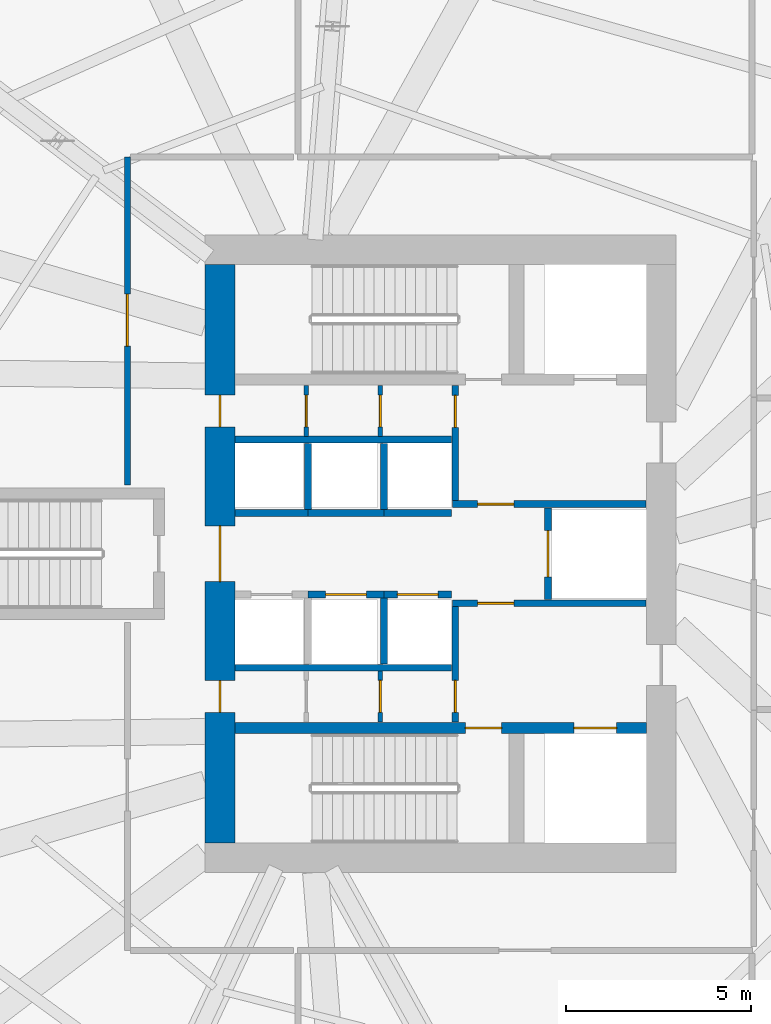
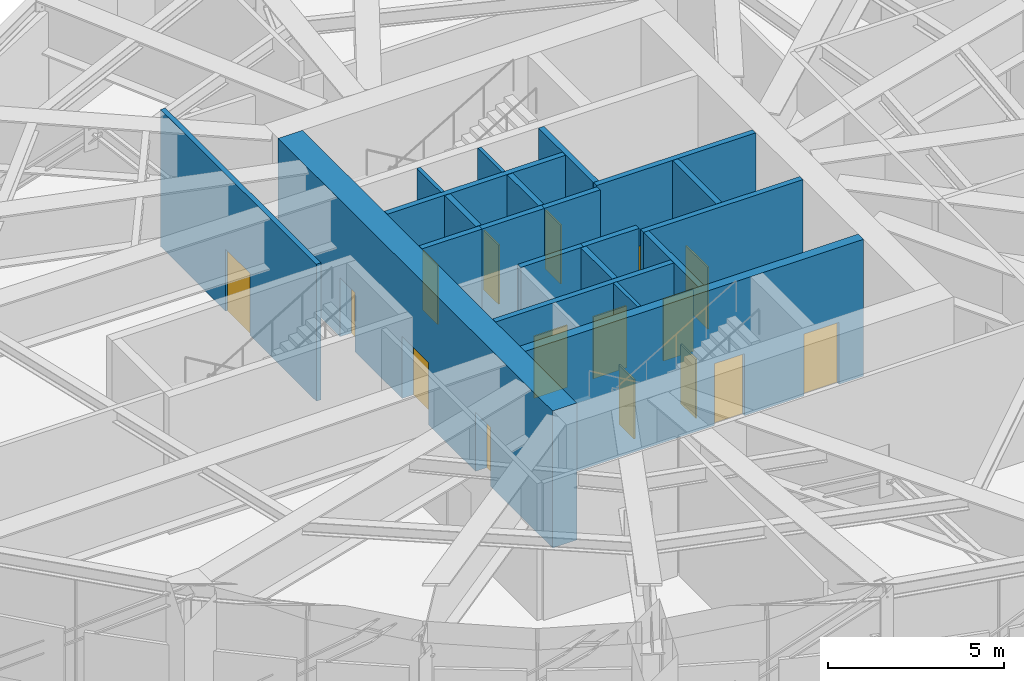
# One storey, part 4 of 9: 21 walls, 16 doors, 16 openings.
"""IFC4 building model written with IfcOpenShell, lengths in metres."""

from ifc_helpers import new_model, si_unit, direction, frame, frame_2d, origin, place, context, subcontext, project, spatial, rectangle, extrude, source, transform, mapped, material, layer, layer_set, type_object, element, fill, save


model = new_model("IFC4")

# Units and contexts
model_context = context("Model", 3, precision=1e-05, world=origin(), true_north=direction((0.0, 1.0)))
body_context = subcontext(model_context, "Body", "Model", "MODEL_VIEW")
ifc_project = project(units=[si_unit("LENGTHUNIT", "METRE"), si_unit("AREAUNIT", "SQUARE_METRE"), si_unit("VOLUMEUNIT", "CUBIC_METRE"), si_unit("PLANEANGLEUNIT", "RADIAN"), si_unit("MASSUNIT", "GRAM", prefix="KILO")], contexts=[model_context])

# Site, building, storey
site_placement = place(None, origin())
site = spatial("IfcSite", under=ifc_project, at=site_placement, CompositionType="ELEMENT")
building_placement = place(site_placement, origin())
building = spatial("IfcBuilding", under=site, at=building_placement, Name="Qafzar Sky-Pleat Residences", CompositionType="ELEMENT")
storey_placement = place(building_placement, frame((0.0, 0.0, 65.39990234375)))
storey = spatial("IfcBuildingStorey", under=building, at=storey_placement, Name="L19", CompositionType="ELEMENT", Elevation=65.39990234375)

# Wall, opening, door
ifc_material_1 = material(Name="Acoustic gypsum plasterboard partition", Category="gypsum")
ifc_layer_1 = layer(ifc_material_1, 0.159912109375)
ifc_layer_set_1 = layer_set([ifc_layer_1], Name="Acoustic gypsum plasterboard partition")
wall_type_1 = type_object("IfcWallType", Name="PART-COR-160", PredefinedType="PARTITIONING", material=ifc_layer_set_1)
wall_1_placement = place(storey_placement, frame((21.89990234375, 27.85009765625, 0.0), z_axis=(0.0, 0.0, 1.0), x_axis=(0.0, 1.0, 0.0)))
wall_1 = element("IfcWall", 1, at=wall_1_placement, inside=storey, type_object=wall_type_1, Name="L19 Partition Wall PART-L19-PW-003", PredefinedType="PARTITIONING", context=body_context, shape_type="SweptSolid", body=[
    extrude(rectangle(XDim=8.849853515625, YDim=0.159912109375, at=frame_2d((4.4248046875, 0.0))), origin(), (0.0, 0.0, 1.0), 4.75),
])
opening_1_placement = place(wall_1_placement, frame((3.75439453125, 0.0, 0.0)))
opening_1 = element("IfcOpeningElement", 2, at=opening_1_placement, cuts=wall_1, Name="Opening ID-10", PredefinedType="OPENING", context=body_context, shape_type="SweptSolid", body=[
    extrude(rectangle(XDim=1.39990234375, YDim=2.14990234375, at=frame_2d((0.699951171875, 1.074951171875))), frame((0.0, 0.08984375, 0.0), z_axis=(0.0, -1.0, 0.0), x_axis=(1.0, 0.0, 0.0)), (0.0, 0.0, 1.0), 0.179931640625),
])
ifc_material_2 = material(Name="Timber-faced fire door", Category="wood")
door_type_1 = type_object("IfcDoorType", Name="DR-PLANT-1400", OperationType="DOUBLE_DOOR_SINGLE_SWING", PredefinedType="DOOR", material=ifc_material_2)
shared_shape_1 = source(origin(), body_context, "Body", "SweptSolid", [
    extrude(rectangle(XDim=1.39990234375, YDim=2.14990234375, at=frame_2d((0.699951171875, 1.074951171875))), frame((0.0, 0.02490234375, 0.0), z_axis=(0.0, -1.0, 0.0), x_axis=(1.0, 0.0, 0.0)), (0.0, 0.0, 1.0), 0.050048828125),
])
door_1_placement = place(opening_1_placement, origin())
door_1 = element("IfcDoor", 3, at=door_1_placement, inside=storey, type_object=door_type_1, Name="L19 Chiller and Heat Exchanger Plant Room Door", OperationType="DOUBLE_DOOR_SINGLE_SWING", OverallHeight=2.14990234375, OverallWidth=1.39990234375, PredefinedType="DOOR", context=body_context, shape_type="MappedRepresentation", body=[
    mapped(shared_shape_1, transform((0.0, 0.0, 0.0), x_axis=(1.0, 0.0, 0.0), y_axis=(0.0, 1.0, 0.0), z_axis=(0.0, 0.0, 1.0), scale=1.0)),
])
fill(opening_1, door_1)

ifc_material_3 = material(Name="Concrete blockwork partition", Category="masonry")
ifc_layer_2 = layer(ifc_material_3, 0.179931640625)
ifc_layer_set_2 = layer_set([ifc_layer_2], Name="Concrete blockwork partition")
wall_type_2 = type_object("IfcWallType", Name="PART-SHAFT-180", PredefinedType="PARTITIONING", material=ifc_layer_set_2)
wall_2_placement = place(storey_placement, frame((30.75, 21.4599609375, 0.0), z_axis=(0.0, 0.0, 1.0), x_axis=(0.0, 1.0, 0.0)))
wall_2 = element("IfcWall", 4, at=wall_2_placement, inside=storey, type_object=wall_type_2, Name="L19 Partition Wall PART-L19-FFL1-W", PredefinedType="PARTITIONING", context=body_context, shape_type="SweptSolid", body=[
    extrude(rectangle(XDim=3.110107421875, YDim=0.179931640625, at=frame_2d((1.55517578125, 0.0))), origin(), (0.0, 0.0, 1.0), 4.75),
])
opening_2_placement = place(wall_2_placement, frame((0.260009765625, 0.0, 0.0)))
opening_2 = element("IfcOpeningElement", 5, at=opening_2_placement, cuts=wall_2, Name="Opening ID-09", PredefinedType="OPENING", context=body_context, shape_type="SweptSolid", body=[
    extrude(rectangle(XDim=0.860107421875, YDim=2.050048828125, at=frame_2d((0.43017578125, 1.02490234375))), frame((0.0, 0.10009765625, 0.0), z_axis=(0.0, -1.0, 0.0), x_axis=(1.0, 0.0, 0.0)), (0.0, 0.0, 1.0), 0.199951171875),
])
door_type_2 = type_object("IfcDoorType", Name="DR-SVC-860", OperationType="NOTDEFINED", PredefinedType="DOOR", material=ifc_material_2)
shared_shape_2 = source(origin(), body_context, "Body", "SweptSolid", [
    extrude(rectangle(XDim=0.860107421875, YDim=2.050048828125, at=frame_2d((0.43017578125, 1.02490234375))), frame((0.0, 0.02490234375, 0.0), z_axis=(0.0, -1.0, 0.0), x_axis=(1.0, 0.0, 0.0)), (0.0, 0.0, 1.0), 0.050048828125),
])
door_2_placement = place(opening_2_placement, origin())
door_2 = element("IfcDoor", 6, at=door_2_placement, inside=storey, type_object=door_type_2, Name="L19 South Core Cupboard Door", OperationType="SINGLE_SWING_LEFT", OverallHeight=2.050048828125, OverallWidth=0.860107421875, PredefinedType="DOOR", context=body_context, shape_type="MappedRepresentation", body=[
    mapped(shared_shape_2, transform((0.0, 0.0, 0.0), x_axis=(1.0, 0.0, 0.0), y_axis=(0.0, 1.0, 0.0), z_axis=(0.0, 0.0, 1.0), scale=1.0)),
])
fill(opening_2, door_2)

wall_3_placement = place(storey_placement, frame((30.669921875, 24.659912109375, 0.0), z_axis=(0.0, 0.0, 1.0), x_axis=(1.0, 0.0, 0.0)))
wall_3 = element("IfcWall", 7, at=wall_3_placement, inside=storey, type_object=wall_type_2, Name="L19 Partition Wall PART-L19-FFL1-N", PredefinedType="PARTITIONING", context=body_context, shape_type="SweptSolid", body=[
    extrude(rectangle(XDim=5.219970703125, YDim=0.179931640625, at=frame_2d((2.60986328125, 0.0))), origin(), (0.0, 0.0, 1.0), 4.75),
])
opening_3_placement = place(wall_3_placement, frame((0.679931640625, 0.0, 0.0)))
opening_3 = element("IfcOpeningElement", 8, at=opening_3_placement, cuts=wall_3, Name="Opening ID-01", PredefinedType="OPENING", context=body_context, shape_type="SweptSolid", body=[
    extrude(rectangle(XDim=0.97998046875, YDim=2.14990234375, at=frame_2d((0.489990234375, 1.074951171875))), frame((0.0, 0.10009765625, 0.0), z_axis=(0.0, -1.0, 0.0), x_axis=(1.0, 0.0, 0.0)), (0.0, 0.0, 1.0), 0.199951171875),
])
door_type_3 = type_object("IfcDoorType", Name="DR-STAIR-980", OperationType="NOTDEFINED", PredefinedType="DOOR", material=ifc_material_2)
shared_shape_3 = source(origin(), body_context, "Body", "SweptSolid", [
    extrude(rectangle(XDim=0.97998046875, YDim=2.14990234375, at=frame_2d((0.489990234375, 1.074951171875))), frame((0.0, 0.02490234375, 0.0), z_axis=(0.0, -1.0, 0.0), x_axis=(1.0, 0.0, 0.0)), (0.0, 0.0, 1.0), 0.050048828125),
])
door_3_placement = place(opening_3_placement, origin())
door_3 = element("IfcDoor", 9, at=door_3_placement, inside=storey, type_object=door_type_3, Name="L19 Lift Lobby to South Firefighting Lobby Door", OperationType="SINGLE_SWING_RIGHT", OverallHeight=2.14990234375, OverallWidth=0.97998046875, PredefinedType="DOOR", context=body_context, shape_type="MappedRepresentation", body=[
    mapped(shared_shape_3, transform((0.0, 0.0, 0.0), x_axis=(1.0, 0.0, 0.0), y_axis=(0.0, 1.0, 0.0), z_axis=(0.0, 0.0, 1.0), scale=1.0)),
])
fill(opening_3, door_3)

wall_4_placement = place(storey_placement, frame((30.75, 27.429931640625, 0.0), z_axis=(0.0, 0.0, 1.0), x_axis=(0.0, 1.0, 0.0)))
wall_4 = element("IfcWall", 10, at=wall_4_placement, inside=storey, type_object=wall_type_2, Name="L19 Partition Wall PART-L19-FFL2-W", PredefinedType="PARTITIONING", context=body_context, shape_type="SweptSolid", body=[
    extrude(rectangle(XDim=3.110107421875, YDim=0.179931640625, at=frame_2d((1.55517578125, 0.0))), origin(), (0.0, 0.0, 1.0), 4.75),
])
opening_4_placement = place(wall_4_placement, frame((1.97998046875, 0.0, 0.0)))
opening_4 = element("IfcOpeningElement", 11, at=opening_4_placement, cuts=wall_4, Name="Opening ID-09", PredefinedType="OPENING", context=body_context, shape_type="SweptSolid", body=[
    extrude(rectangle(XDim=0.860107421875, YDim=2.050048828125, at=frame_2d((0.43017578125, 1.02490234375))), frame((0.0, 0.10009765625, 0.0), z_axis=(0.0, -1.0, 0.0), x_axis=(1.0, 0.0, 0.0)), (0.0, 0.0, 1.0), 0.199951171875),
])
door_4_placement = place(opening_4_placement, origin())
door_4 = element("IfcDoor", 12, at=door_4_placement, inside=storey, type_object=door_type_2, Name="L19 North Core Cupboard Door", OperationType="SINGLE_SWING_LEFT", OverallHeight=2.050048828125, OverallWidth=0.860107421875, PredefinedType="DOOR", context=body_context, shape_type="MappedRepresentation", body=[
    mapped(shared_shape_2, transform((0.0, 0.0, 0.0), x_axis=(1.0, 0.0, 0.0), y_axis=(0.0, 1.0, 0.0), z_axis=(0.0, 0.0, 1.0), scale=1.0)),
])
fill(opening_4, door_4)

wall_5_placement = place(storey_placement, frame((30.669921875, 27.340087890625, 0.0), z_axis=(0.0, 0.0, 1.0), x_axis=(1.0, 0.0, 0.0)))
wall_5 = element("IfcWall", 13, at=wall_5_placement, inside=storey, type_object=wall_type_2, Name="L19 Partition Wall PART-L19-FFL2-S", PredefinedType="PARTITIONING", context=body_context, shape_type="SweptSolid", body=[
    extrude(rectangle(XDim=5.219970703125, YDim=0.179931640625, at=frame_2d((2.60986328125, 0.0))), origin(), (0.0, 0.0, 1.0), 4.75),
])
opening_5_placement = place(wall_5_placement, frame((0.679931640625, 0.0, 0.0)))
opening_5 = element("IfcOpeningElement", 14, at=opening_5_placement, cuts=wall_5, Name="Opening ID-01", PredefinedType="OPENING", context=body_context, shape_type="SweptSolid", body=[
    extrude(rectangle(XDim=0.97998046875, YDim=2.14990234375, at=frame_2d((0.489990234375, 1.074951171875))), frame((0.0, 0.10009765625, 0.0), z_axis=(0.0, -1.0, 0.0), x_axis=(1.0, 0.0, 0.0)), (0.0, 0.0, 1.0), 0.199951171875),
])
door_5_placement = place(opening_5_placement, origin())
door_5 = element("IfcDoor", 15, at=door_5_placement, inside=storey, type_object=door_type_3, Name="L19 Lift Lobby to North Firefighting Lobby Door", OperationType="SINGLE_SWING_RIGHT", OverallHeight=2.14990234375, OverallWidth=0.97998046875, PredefinedType="DOOR", context=body_context, shape_type="MappedRepresentation", body=[
    mapped(shared_shape_3, transform((0.0, 0.0, 0.0), x_axis=(1.0, 0.0, 0.0), y_axis=(0.0, 1.0, 0.0), z_axis=(0.0, 0.0, 1.0), scale=1.0)),
])
fill(opening_5, door_5)

wall_6_placement = place(storey_placement, frame((33.25, 24.760009765625, 0.0), z_axis=(0.0, 0.0, 1.0), x_axis=(0.0, 1.0, 0.0)))
wall_6 = element("IfcWall", 16, at=wall_6_placement, inside=storey, type_object=wall_type_2, Name="L19 Partition Wall PART-L19-SV1-W", PredefinedType="PARTITIONING", context=body_context, shape_type="SweptSolid", body=[
    extrude(rectangle(XDim=2.47998046875, YDim=0.179931640625, at=frame_2d((1.239990234375, 0.0))), origin(), (0.0, 0.0, 1.0), 4.75),
])
opening_6_placement = place(wall_6_placement, frame((0.614990234375, 0.0, 0.0)))
opening_6 = element("IfcOpeningElement", 17, at=opening_6_placement, cuts=wall_6, Name="Opening LD-03", PredefinedType="OPENING", context=body_context, shape_type="SweptSolid", body=[
    extrude(rectangle(XDim=1.25, YDim=2.14990234375, at=frame_2d((0.625, 1.074951171875))), frame((0.0, 0.10009765625, 0.0), z_axis=(0.0, -1.0, 0.0), x_axis=(1.0, 0.0, 0.0)), (0.0, 0.0, 1.0), 0.199951171875),
])
ifc_material_4 = material(Name="Stainless steel sliding landing door", Category="steel")
door_type_4 = type_object("IfcDoorType", Name="DR-LIFT-SV", OperationType="DOUBLE_DOOR_SLIDING", PredefinedType="DOOR", material=ifc_material_4)
shared_shape_4 = source(origin(), body_context, "Body", "SweptSolid", [
    extrude(rectangle(XDim=1.25, YDim=2.14990234375, at=frame_2d((0.625, 1.074951171875))), frame((0.0, 0.02490234375, 0.0), z_axis=(0.0, -1.0, 0.0), x_axis=(1.0, 0.0, 0.0)), (0.0, 0.0, 1.0), 0.050048828125),
])
door_6_placement = place(opening_6_placement, origin())
door_6 = element("IfcDoor", 18, at=door_6_placement, inside=storey, type_object=door_type_4, Name="L19 Service Lift SV1 Landing Door", OperationType="DOUBLE_DOOR_SLIDING", OverallHeight=2.14990234375, OverallWidth=1.25, PredefinedType="DOOR", context=body_context, shape_type="MappedRepresentation", body=[
    mapped(shared_shape_4, transform((0.0, 0.0, 0.0), x_axis=(1.0, 0.0, 0.0), y_axis=(0.0, 1.0, 0.0), z_axis=(0.0, 0.0, 1.0), scale=1.0)),
])
fill(opening_6, door_6)

# Wall
wall_7_placement = place(storey_placement, frame((24.81005859375, 22.919921875, 0.0), z_axis=(0.0, 0.0, 1.0), x_axis=(1.0, 0.0, 0.0)))
element("IfcWall", 19, at=wall_7_placement, inside=storey, type_object=wall_type_2, Name="L19 Partition Wall PART-L19-P13-S", PredefinedType="PARTITIONING", context=body_context, shape_type="SweptSolid", body=[
    extrude(rectangle(XDim=5.83984375, YDim=0.179931640625, at=frame_2d((2.919921875, 0.0))), origin(), (0.0, 0.0, 1.0), 4.75),
])

# Wall, opening, door
wall_8_placement = place(storey_placement, frame((26.77490234375, 24.89990234375, 0.0), z_axis=(0.0, 0.0, 1.0), x_axis=(1.0, 0.0, 0.0)))
wall_8 = element("IfcWall", 20, at=wall_8_placement, inside=storey, type_object=wall_type_2, Name="L19 Partition Wall PART-L19-P2-N", PredefinedType="PARTITIONING", context=body_context, shape_type="SweptSolid", body=[
    extrude(rectangle(XDim=2.050048828125, YDim=0.179931640625, at=frame_2d((1.02490234375, 0.0))), origin(), (0.0, 0.0, 1.0), 4.75),
])
opening_7_placement = place(wall_8_placement, frame((0.47509765625, 0.0, 0.0)))
opening_7 = element("IfcOpeningElement", 21, at=opening_7_placement, cuts=wall_8, Name="Opening LD-01", PredefinedType="OPENING", context=body_context, shape_type="SweptSolid", body=[
    extrude(rectangle(XDim=1.10009765625, YDim=2.14990234375, at=frame_2d((0.550048828125, 1.074951171875))), frame((0.0, 0.10009765625, 0.0), z_axis=(0.0, -1.0, 0.0), x_axis=(1.0, 0.0, 0.0)), (0.0, 0.0, 1.0), 0.199951171875),
])
door_type_5 = type_object("IfcDoorType", Name="DR-LIFT-P", OperationType="DOUBLE_DOOR_SLIDING", PredefinedType="DOOR", material=ifc_material_4)
shared_shape_5 = source(origin(), body_context, "Body", "SweptSolid", [
    extrude(rectangle(XDim=1.10009765625, YDim=2.14990234375, at=frame_2d((0.550048828125, 1.074951171875))), frame((0.0, 0.02490234375, 0.0), z_axis=(0.0, -1.0, 0.0), x_axis=(1.0, 0.0, 0.0)), (0.0, 0.0, 1.0), 0.050048828125),
])
door_7_placement = place(opening_7_placement, origin())
door_7 = element("IfcDoor", 22, at=door_7_placement, inside=storey, type_object=door_type_5, Name="L19 Passenger Lift P2 Landing Door", OperationType="DOUBLE_DOOR_SLIDING", OverallHeight=2.14990234375, OverallWidth=1.10009765625, PredefinedType="DOOR", context=body_context, shape_type="MappedRepresentation", body=[
    mapped(shared_shape_5, transform((0.0, 0.0, 0.0), x_axis=(1.0, 0.0, 0.0), y_axis=(0.0, 1.0, 0.0), z_axis=(0.0, 0.0, 1.0), scale=1.0)),
])
fill(opening_7, door_7)

wall_9_placement = place(storey_placement, frame((28.824951171875, 24.89990234375, 0.0), z_axis=(0.0, 0.0, 1.0), x_axis=(1.0, 0.0, 0.0)))
wall_9 = element("IfcWall", 23, at=wall_9_placement, inside=storey, type_object=wall_type_2, Name="L19 Partition Wall PART-L19-P3-N", PredefinedType="PARTITIONING", context=body_context, shape_type="SweptSolid", body=[
    extrude(rectangle(XDim=1.824951171875, YDim=0.179931640625, at=frame_2d((0.91259765625, 0.0))), origin(), (0.0, 0.0, 1.0), 4.75),
])
opening_8_placement = place(wall_9_placement, frame((0.362548828125, 0.0, 0.0)))
opening_8 = element("IfcOpeningElement", 24, at=opening_8_placement, cuts=wall_9, Name="Opening LD-01", PredefinedType="OPENING", context=body_context, shape_type="SweptSolid", body=[
    extrude(rectangle(XDim=1.10009765625, YDim=2.14990234375, at=frame_2d((0.550048828125, 1.074951171875))), frame((0.0, 0.10009765625, 0.0), z_axis=(0.0, -1.0, 0.0), x_axis=(1.0, 0.0, 0.0)), (0.0, 0.0, 1.0), 0.199951171875),
])
door_8_placement = place(opening_8_placement, origin())
door_8 = element("IfcDoor", 25, at=door_8_placement, inside=storey, type_object=door_type_5, Name="L19 Passenger Lift P3 Landing Door", OperationType="DOUBLE_DOOR_SLIDING", OverallHeight=2.14990234375, OverallWidth=1.10009765625, PredefinedType="DOOR", context=body_context, shape_type="MappedRepresentation", body=[
    mapped(shared_shape_5, transform((0.0, 0.0, 0.0), x_axis=(1.0, 0.0, 0.0), y_axis=(0.0, 1.0, 0.0), z_axis=(0.0, 0.0, 1.0), scale=1.0)),
])
fill(opening_8, door_8)

# Walls
wall_10_placement = place(storey_placement, frame((28.824951171875, 23.02001953125, 0.0), z_axis=(0.0, 0.0, 1.0), x_axis=(0.0, 1.0, 0.0)))
element("IfcWall", 26, at=wall_10_placement, inside=storey, type_object=wall_type_2, Name="L19 Partition Wall PART-L19-P13-DIV-2", PredefinedType="PARTITIONING", context=body_context, shape_type="SweptSolid", body=[
    extrude(rectangle(XDim=1.780029296875, YDim=0.179931640625, at=frame_2d((0.89013671875, 0.0))), origin(), (0.0, 0.0, 1.0), 4.75),
])
wall_11_placement = place(storey_placement, frame((24.81005859375, 29.080078125, 0.0), z_axis=(0.0, 0.0, 1.0), x_axis=(1.0, 0.0, 0.0)))
element("IfcWall", 27, at=wall_11_placement, inside=storey, type_object=wall_type_2, Name="L19 Partition Wall PART-L19-P46-N", PredefinedType="PARTITIONING", context=body_context, shape_type="SweptSolid", body=[
    extrude(rectangle(XDim=5.83984375, YDim=0.179931640625, at=frame_2d((2.919921875, 0.0))), origin(), (0.0, 0.0, 1.0), 4.75),
])
wall_12_placement = place(storey_placement, frame((24.81005859375, 27.10009765625, 0.0), z_axis=(0.0, 0.0, 1.0), x_axis=(1.0, 0.0, 0.0)))
element("IfcWall", 28, at=wall_12_placement, inside=storey, type_object=wall_type_2, Name="L19 Partition Wall PART-L19-P4-S", PredefinedType="PARTITIONING", context=body_context, shape_type="SweptSolid", body=[
    extrude(rectangle(XDim=1.96484375, YDim=0.179931640625, at=frame_2d((0.982421875, 0.0))), origin(), (0.0, 0.0, 1.0), 4.75),
])
wall_13_placement = place(storey_placement, frame((26.77490234375, 27.10009765625, 0.0), z_axis=(0.0, 0.0, 1.0), x_axis=(1.0, 0.0, 0.0)))
element("IfcWall", 29, at=wall_13_placement, inside=storey, type_object=wall_type_2, Name="L19 Partition Wall PART-L19-P5-S", PredefinedType="PARTITIONING", context=body_context, shape_type="SweptSolid", body=[
    extrude(rectangle(XDim=2.050048828125, YDim=0.179931640625, at=frame_2d((1.02490234375, 0.0))), origin(), (0.0, 0.0, 1.0), 4.75),
])
wall_14_placement = place(storey_placement, frame((26.77490234375, 27.199951171875, 0.0), z_axis=(0.0, 0.0, 1.0), x_axis=(0.0, 1.0, 0.0)))
element("IfcWall", 30, at=wall_14_placement, inside=storey, type_object=wall_type_2, Name="L19 Partition Wall PART-L19-P46-DIV-1", PredefinedType="PARTITIONING", context=body_context, shape_type="SweptSolid", body=[
    extrude(rectangle(XDim=1.780029296875, YDim=0.179931640625, at=frame_2d((0.89013671875, 0.0))), origin(), (0.0, 0.0, 1.0), 4.75),
])
wall_15_placement = place(storey_placement, frame((28.824951171875, 27.10009765625, 0.0), z_axis=(0.0, 0.0, 1.0), x_axis=(1.0, 0.0, 0.0)))
element("IfcWall", 31, at=wall_15_placement, inside=storey, type_object=wall_type_2, Name="L19 Partition Wall PART-L19-P6-S", PredefinedType="PARTITIONING", context=body_context, shape_type="SweptSolid", body=[
    extrude(rectangle(XDim=1.824951171875, YDim=0.179931640625, at=frame_2d((0.91259765625, 0.0))), origin(), (0.0, 0.0, 1.0), 4.75),
])
wall_16_placement = place(storey_placement, frame((28.824951171875, 27.199951171875, 0.0), z_axis=(0.0, 0.0, 1.0), x_axis=(0.0, 1.0, 0.0)))
element("IfcWall", 32, at=wall_16_placement, inside=storey, type_object=wall_type_2, Name="L19 Partition Wall PART-L19-P46-DIV-2", PredefinedType="PARTITIONING", context=body_context, shape_type="SweptSolid", body=[
    extrude(rectangle(XDim=1.780029296875, YDim=0.179931640625, at=frame_2d((0.89013671875, 0.0))), origin(), (0.0, 0.0, 1.0), 4.75),
])

# Wall, opening, door
ifc_material_5 = material(Name="Gypsum plasterboard partition", Category="gypsum")
ifc_layer_3 = layer(ifc_material_5, 0.114990234375)
ifc_layer_set_3 = layer_set([ifc_layer_3], Name="Gypsum plasterboard partition")
wall_type_3 = type_object("IfcWallType", Name="PART-SVC-115", PredefinedType="PARTITIONING", material=ifc_layer_set_3)
wall_17_placement = place(storey_placement, frame((26.72509765625, 29.159912109375, 0.0), z_axis=(0.0, 0.0, 1.0), x_axis=(0.0, 1.0, 0.0)))
wall_17 = element("IfcWall", 33, at=wall_17_placement, inside=storey, type_object=wall_type_3, Name="L19 Partition Wall PART-L19-KC-NW-1", PredefinedType="PARTITIONING", context=body_context, shape_type="SweptSolid", body=[
    extrude(rectangle(XDim=1.380126953125, YDim=0.114990234375, at=frame_2d((0.68994140625, 0.0))), origin(), (0.0, 0.0, 1.0), 4.75),
])
opening_9_placement = place(wall_17_placement, frame((0.260009765625, 0.0, 0.0)))
opening_9 = element("IfcOpeningElement", 34, at=opening_9_placement, cuts=wall_17, Name="Opening ID-09", PredefinedType="OPENING", context=body_context, shape_type="SweptSolid", body=[
    extrude(rectangle(XDim=0.860107421875, YDim=2.050048828125, at=frame_2d((0.43017578125, 1.02490234375))), frame((0.0, 0.0673828125, 0.0), z_axis=(0.0, -1.0, 0.0), x_axis=(1.0, 0.0, 0.0)), (0.0, 0.0, 1.0), 0.135009765625),
])
door_9_placement = place(opening_9_placement, origin())
door_9 = element("IfcDoor", 35, at=door_9_placement, inside=storey, type_object=door_type_2, Name="L19 Core North Cupboard 1 Door", OperationType="SINGLE_SWING_RIGHT", OverallHeight=2.050048828125, OverallWidth=0.860107421875, PredefinedType="DOOR", context=body_context, shape_type="MappedRepresentation", body=[
    mapped(shared_shape_2, transform((0.0, 0.0, 0.0), x_axis=(1.0, 0.0, 0.0), y_axis=(0.0, 1.0, 0.0), z_axis=(0.0, 0.0, 1.0), scale=1.0)),
])
fill(opening_9, door_9)

wall_18_placement = place(storey_placement, frame((28.72509765625, 21.4599609375, 0.0), z_axis=(0.0, 0.0, 1.0), x_axis=(0.0, 1.0, 0.0)))
wall_18 = element("IfcWall", 36, at=wall_18_placement, inside=storey, type_object=wall_type_3, Name="L19 Partition Wall PART-L19-KC-SW-2", PredefinedType="PARTITIONING", context=body_context, shape_type="SweptSolid", body=[
    extrude(rectangle(XDim=1.380126953125, YDim=0.114990234375, at=frame_2d((0.68994140625, 0.0))), origin(), (0.0, 0.0, 1.0), 4.75),
])
opening_10_placement = place(wall_18_placement, frame((0.260009765625, 0.0, 0.0)))
opening_10 = element("IfcOpeningElement", 37, at=opening_10_placement, cuts=wall_18, Name="Opening ID-09", PredefinedType="OPENING", context=body_context, shape_type="SweptSolid", body=[
    extrude(rectangle(XDim=0.860107421875, YDim=2.050048828125, at=frame_2d((0.43017578125, 1.02490234375))), frame((0.0, 0.0673828125, 0.0), z_axis=(0.0, -1.0, 0.0), x_axis=(1.0, 0.0, 0.0)), (0.0, 0.0, 1.0), 0.135009765625),
])
door_10_placement = place(opening_10_placement, origin())
door_10 = element("IfcDoor", 38, at=door_10_placement, inside=storey, type_object=door_type_2, Name="L19 Core South Cupboard 2 Door", OperationType="SINGLE_SWING_LEFT", OverallHeight=2.050048828125, OverallWidth=0.860107421875, PredefinedType="DOOR", context=body_context, shape_type="MappedRepresentation", body=[
    mapped(shared_shape_2, transform((0.0, 0.0, 0.0), x_axis=(1.0, 0.0, 0.0), y_axis=(0.0, 1.0, 0.0), z_axis=(0.0, 0.0, 1.0), scale=1.0)),
])
fill(opening_10, door_10)

wall_19_placement = place(storey_placement, frame((28.72509765625, 29.159912109375, 0.0), z_axis=(0.0, 0.0, 1.0), x_axis=(0.0, 1.0, 0.0)))
wall_19 = element("IfcWall", 39, at=wall_19_placement, inside=storey, type_object=wall_type_3, Name="L19 Partition Wall PART-L19-KC-NW-2", PredefinedType="PARTITIONING", context=body_context, shape_type="SweptSolid", body=[
    extrude(rectangle(XDim=1.380126953125, YDim=0.114990234375, at=frame_2d((0.68994140625, 0.0))), origin(), (0.0, 0.0, 1.0), 4.75),
])
opening_11_placement = place(wall_19_placement, frame((0.260009765625, 0.0, 0.0)))
opening_11 = element("IfcOpeningElement", 40, at=opening_11_placement, cuts=wall_19, Name="Opening ID-09", PredefinedType="OPENING", context=body_context, shape_type="SweptSolid", body=[
    extrude(rectangle(XDim=0.860107421875, YDim=2.050048828125, at=frame_2d((0.43017578125, 1.02490234375))), frame((0.0, 0.0673828125, 0.0), z_axis=(0.0, -1.0, 0.0), x_axis=(1.0, 0.0, 0.0)), (0.0, 0.0, 1.0), 0.135009765625),
])
door_11_placement = place(opening_11_placement, origin())
door_11 = element("IfcDoor", 41, at=door_11_placement, inside=storey, type_object=door_type_2, Name="L19 Core North Cupboard 2 Door", OperationType="SINGLE_SWING_RIGHT", OverallHeight=2.050048828125, OverallWidth=0.860107421875, PredefinedType="DOOR", context=body_context, shape_type="MappedRepresentation", body=[
    mapped(shared_shape_2, transform((0.0, 0.0, 0.0), x_axis=(1.0, 0.0, 0.0), y_axis=(0.0, 1.0, 0.0), z_axis=(0.0, 0.0, 1.0), scale=1.0)),
])
fill(opening_11, door_11)

# Wall, openings, doors
ifc_material_6 = material(Name="Concrete C60/75", Category="concrete")
ifc_layer_4 = layer(ifc_material_6, 0.300048828125)
ifc_layer_set_4 = layer_set([ifc_layer_4], Name="Concrete C60/75")
wall_type_4 = type_object("IfcWallType", Name="WALL-SHEAR-300", PredefinedType="SHEAR", material=ifc_layer_set_4)
wall_20_placement = place(storey_placement, frame((24.800048828125, 21.300048828125, 0.0), z_axis=(0.0, 0.0, 1.0), x_axis=(1.0, 0.0, 0.0)))
wall_20 = element("IfcWall", 42, at=wall_20_placement, inside=storey, type_object=wall_type_4, Name="L19 Stair ST1 and FF1 Shaft North Wall", PredefinedType="SHEAR", context=body_context, shape_type="SweptSolid", body=[
    extrude(rectangle(XDim=11.099853515625, YDim=0.300048828125, at=frame_2d((5.5498046875, 0.0))), origin(), (0.0, 0.0, 1.0), 4.75),
])
opening_12_placement = place(wall_20_placement, frame((6.219970703125, 0.0, 0.0)))
opening_12 = element("IfcOpeningElement", 43, at=opening_12_placement, cuts=wall_20, Name="Opening ID-01", PredefinedType="OPENING", context=body_context, shape_type="SweptSolid", body=[
    extrude(rectangle(XDim=0.97998046875, YDim=2.14990234375, at=frame_2d((0.489990234375, 1.074951171875))), frame((0.0, 0.16015625, 0.0), z_axis=(0.0, -1.0, 0.0), x_axis=(1.0, 0.0, 0.0)), (0.0, 0.0, 1.0), 0.320068359375),
])
opening_13_placement = place(wall_20_placement, frame((9.14990234375, 0.0, 0.0)))
opening_13 = element("IfcOpeningElement", 44, at=opening_13_placement, cuts=wall_20, Name="Opening LD-02", PredefinedType="OPENING", context=body_context, shape_type="SweptSolid", body=[
    extrude(rectangle(XDim=1.14990234375, YDim=2.14990234375, at=frame_2d((0.574951171875, 1.074951171875))), frame((0.0, 0.16015625, 0.0), z_axis=(0.0, -1.0, 0.0), x_axis=(1.0, 0.0, 0.0)), (0.0, 0.0, 1.0), 0.320068359375),
])
door_12_placement = place(opening_12_placement, origin())
door_12 = element("IfcDoor", 45, at=door_12_placement, inside=storey, type_object=door_type_3, Name="L19 Stair ST1 Fire Door", OperationType="SINGLE_SWING_RIGHT", OverallHeight=2.14990234375, OverallWidth=0.97998046875, PredefinedType="DOOR", context=body_context, shape_type="MappedRepresentation", body=[
    mapped(shared_shape_3, transform((0.0, 0.0, 0.0), x_axis=(1.0, 0.0, 0.0), y_axis=(0.0, 1.0, 0.0), z_axis=(0.0, 0.0, 1.0), scale=1.0)),
])
fill(opening_12, door_12)
door_type_6 = type_object("IfcDoorType", Name="DR-LIFT-FF", OperationType="DOUBLE_DOOR_SLIDING", PredefinedType="DOOR", material=ifc_material_4)
shared_shape_6 = source(origin(), body_context, "Body", "SweptSolid", [
    extrude(rectangle(XDim=1.14990234375, YDim=2.14990234375, at=frame_2d((0.574951171875, 1.074951171875))), frame((0.0, 0.02490234375, 0.0), z_axis=(0.0, -1.0, 0.0), x_axis=(1.0, 0.0, 0.0)), (0.0, 0.0, 1.0), 0.050048828125),
])
door_13_placement = place(opening_13_placement, origin())
door_13 = element("IfcDoor", 46, at=door_13_placement, inside=storey, type_object=door_type_6, Name="L19 Firefighting Lift FF1 Landing Door", OperationType="DOUBLE_DOOR_SLIDING", OverallHeight=2.14990234375, OverallWidth=1.14990234375, PredefinedType="DOOR", context=body_context, shape_type="MappedRepresentation", body=[
    mapped(shared_shape_6, transform((0.0, 0.0, 0.0), x_axis=(1.0, 0.0, 0.0), y_axis=(0.0, 1.0, 0.0), z_axis=(0.0, 0.0, 1.0), scale=1.0)),
])
fill(opening_13, door_13)

ifc_layer_5 = layer(ifc_material_6, 0.800048828125)
ifc_layer_set_5 = layer_set([ifc_layer_5], Name="Concrete C60/75")
wall_type_5 = type_object("IfcWallType", Name="WALL-SHEAR-800", PredefinedType="SHEAR", material=ifc_layer_set_5)
wall_21_placement = place(storey_placement, frame((24.39990234375, 33.800048828125, 0.0), z_axis=(0.0, 0.0, 1.0), x_axis=(0.0, -1.0, 0.0)))
wall_21 = element("IfcWall", 47, at=wall_21_placement, inside=storey, type_object=wall_type_5, Name="L19 CORE wall W", PredefinedType="SHEAR", context=body_context, shape_type="SweptSolid", body=[
    extrude(rectangle(XDim=15.60009765625, YDim=0.800048828125, at=frame_2d((7.800048828125, 0.0))), origin(), (0.0, 0.0, 1.0), 4.75),
])
opening_14_placement = place(wall_21_placement, frame((7.050048828125, 0.0, 0.0)))
opening_14 = element("IfcOpeningElement", 48, at=opening_14_placement, cuts=wall_21, Name="Opening ID-03", PredefinedType="OPENING", context=body_context, shape_type="SweptSolid", body=[
    extrude(rectangle(XDim=1.5, YDim=2.14990234375, at=frame_2d((0.75, 1.074951171875))), frame((0.0, 0.41015625, 0.0), z_axis=(0.0, -1.0, 0.0), x_axis=(1.0, 0.0, 0.0)), (0.0, 0.0, 1.0), 0.820068359375),
])
opening_15_placement = place(wall_21_placement, frame((3.52001953125, 0.0, 0.0)))
opening_15 = element("IfcOpeningElement", 49, at=opening_15_placement, cuts=wall_21, Name="Opening ID-09", PredefinedType="OPENING", context=body_context, shape_type="SweptSolid", body=[
    extrude(rectangle(XDim=0.860107421875, YDim=2.050048828125, at=frame_2d((0.43017578125, 1.02490234375))), frame((0.0, 0.41015625, 0.0), z_axis=(0.0, -1.0, 0.0), x_axis=(1.0, 0.0, 0.0)), (0.0, 0.0, 1.0), 0.820068359375),
])
opening_16_placement = place(wall_21_placement, frame((11.219970703125, 0.0, 0.0)))
opening_16 = element("IfcOpeningElement", 50, at=opening_16_placement, cuts=wall_21, Name="Opening ID-09", PredefinedType="OPENING", context=body_context, shape_type="SweptSolid", body=[
    extrude(rectangle(XDim=0.860107421875, YDim=2.050048828125, at=frame_2d((0.43017578125, 1.02490234375))), frame((0.0, 0.41015625, 0.0), z_axis=(0.0, -1.0, 0.0), x_axis=(1.0, 0.0, 0.0)), (0.0, 0.0, 1.0), 0.820068359375),
])
door_type_7 = type_object("IfcDoorType", Name="DR-COR-1500", OperationType="DOUBLE_DOOR_SINGLE_SWING", PredefinedType="DOOR", material=ifc_material_2)
shared_shape_7 = source(origin(), body_context, "Body", "SweptSolid", [
    extrude(rectangle(XDim=1.5, YDim=2.14990234375, at=frame_2d((0.75, 1.074951171875))), frame((0.0, 0.02490234375, 0.0), z_axis=(0.0, -1.0, 0.0), x_axis=(1.0, 0.0, 0.0)), (0.0, 0.0, 1.0), 0.050048828125),
])
door_14_placement = place(opening_14_placement, origin())
door_14 = element("IfcDoor", 51, at=door_14_placement, inside=storey, type_object=door_type_7, Name="L19 Lift Lobby West Double Door", OperationType="DOUBLE_DOOR_SINGLE_SWING", OverallHeight=2.14990234375, OverallWidth=1.5, PredefinedType="DOOR", context=body_context, shape_type="MappedRepresentation", body=[
    mapped(shared_shape_7, transform((0.0, 0.0, 0.0), x_axis=(1.0, 0.0, 0.0), y_axis=(0.0, 1.0, 0.0), z_axis=(0.0, 0.0, 1.0), scale=1.0)),
])
fill(opening_14, door_14)
door_15_placement = place(opening_15_placement, origin())
door_15 = element("IfcDoor", 52, at=door_15_placement, inside=storey, type_object=door_type_2, Name="L19 Core North-West Service Door", OperationType="SINGLE_SWING_LEFT", OverallHeight=2.050048828125, OverallWidth=0.860107421875, PredefinedType="DOOR", context=body_context, shape_type="MappedRepresentation", body=[
    mapped(shared_shape_2, transform((0.0, 0.0, 0.0), x_axis=(1.0, 0.0, 0.0), y_axis=(0.0, 1.0, 0.0), z_axis=(0.0, 0.0, 1.0), scale=1.0)),
])
fill(opening_15, door_15)
door_16_placement = place(opening_16_placement, origin())
door_16 = element("IfcDoor", 53, at=door_16_placement, inside=storey, type_object=door_type_2, Name="L19 Core South-West Service Door", OperationType="SINGLE_SWING_RIGHT", OverallHeight=2.050048828125, OverallWidth=0.860107421875, PredefinedType="DOOR", context=body_context, shape_type="MappedRepresentation", body=[
    mapped(shared_shape_2, transform((0.0, 0.0, 0.0), x_axis=(1.0, 0.0, 0.0), y_axis=(0.0, 1.0, 0.0), z_axis=(0.0, 0.0, 1.0), scale=1.0)),
])
fill(opening_16, door_16)

save(model, "model.ifc")
